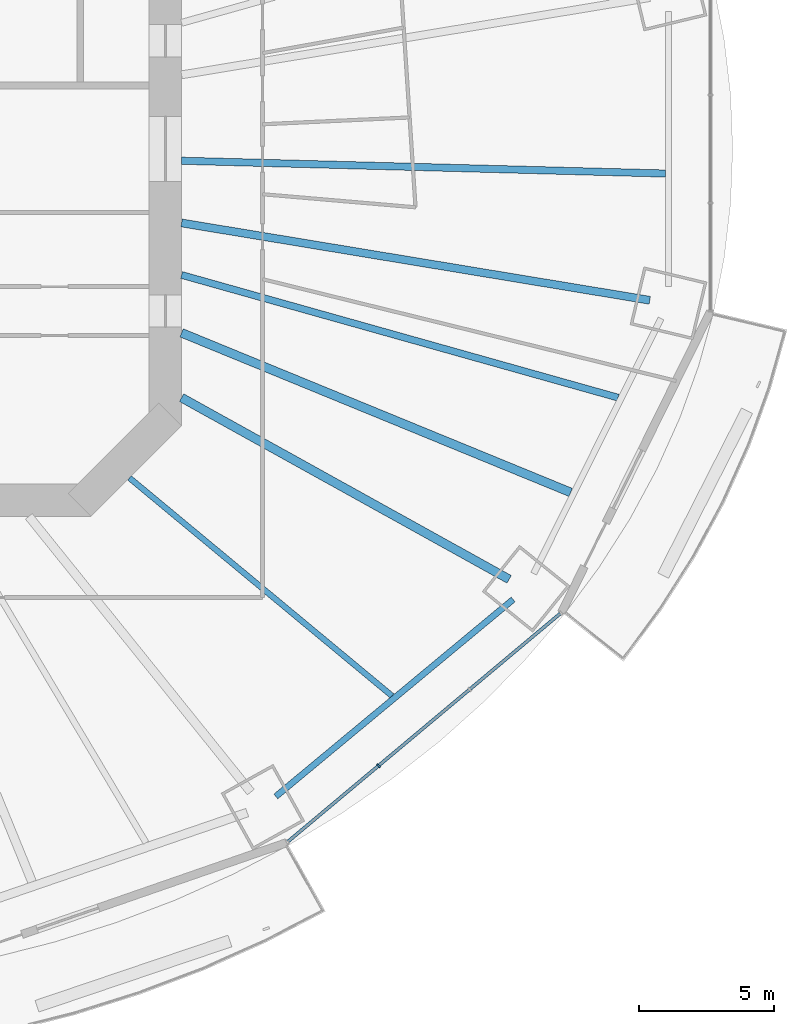
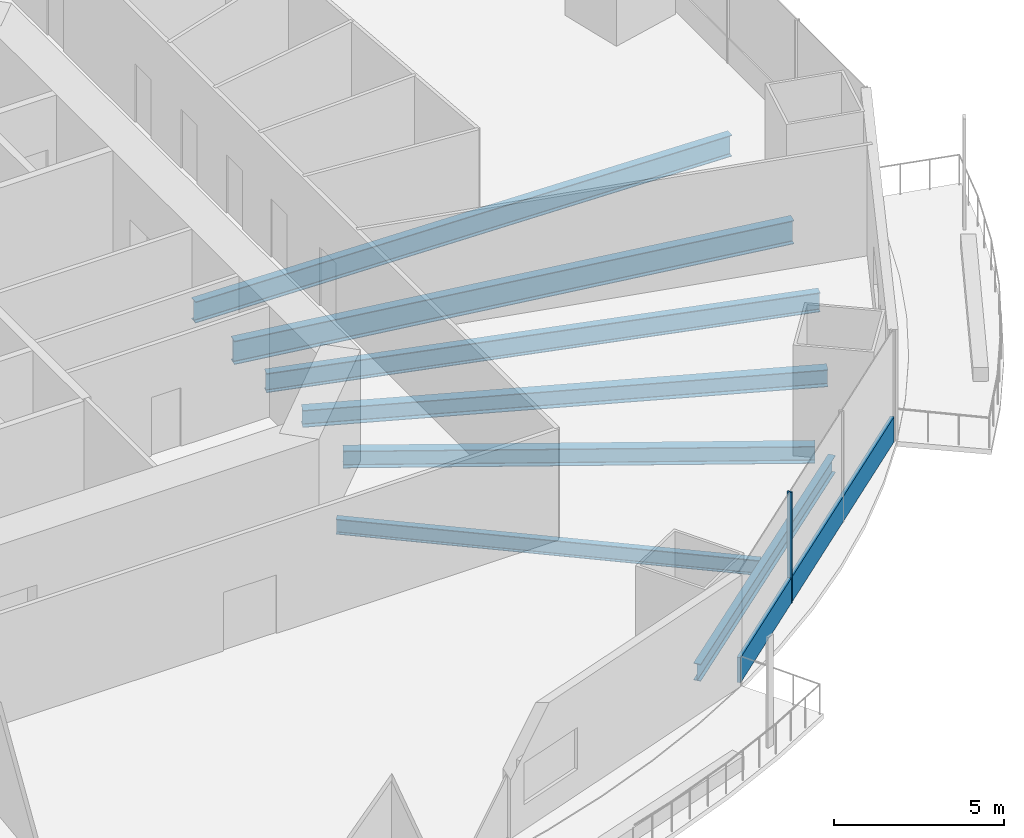
# One storey, part 5 of 23: 7 beams, 2 members, 1 element without a shape of its own.
"""IFC4 building model written with IfcOpenShell, lengths in metres."""

from ifc_helpers import new_model, si_unit, direction, frame, origin, origin_2d, place, context, subcontext, project, spatial, rectangle, i_section, extrude, material, material_profile, profile_set, type_object, element, aggregate, save


model = new_model("IFC4")

# Units and contexts
model_context = context("Model", 3, precision=1e-05, world=origin(), true_north=direction((0.0, 1.0)))
body_context = subcontext(model_context, "Body", "Model", "MODEL_VIEW")
ifc_project = project(units=[si_unit("LENGTHUNIT", "METRE"), si_unit("AREAUNIT", "SQUARE_METRE"), si_unit("VOLUMEUNIT", "CUBIC_METRE"), si_unit("PLANEANGLEUNIT", "RADIAN"), si_unit("MASSUNIT", "GRAM", prefix="KILO")], contexts=[model_context])

# Site, building, storey
site_placement = place(None, origin())
site = spatial("IfcSite", under=ifc_project, at=site_placement, CompositionType="ELEMENT")
building_placement = place(site_placement, origin())
building = spatial("IfcBuilding", under=site, at=building_placement, Name="Marenthal Gate Tower", CompositionType="ELEMENT")
storey_placement = place(building_placement, frame((0.0, 0.0, 41.300048828125)))
storey = spatial("IfcBuildingStorey", under=building, at=storey_placement, Name="L06", CompositionType="ELEMENT", Elevation=41.300048828125)

# Curtain wall, members
ifc_material_1 = material(Name="Aluminium and glass", Category="aluminium")
curtain_wall_type = type_object("IfcCurtainWallType", Name="Curtain wall typical low", PredefinedType="NOTDEFINED", material=ifc_material_1)
curtain_wall_placement = place(storey_placement, origin())
curtain_wall = element("IfcCurtainWall", 1, at=curtain_wall_placement, inside=storey, type_object=curtain_wall_type, Name="Curtain wall L06 bay 14", PredefinedType="NOTDEFINED")
ifc_material_2 = material(Name="Aluminium", Category="aluminium")
ifc_material_profile_1 = material_profile(ifc_material_2, rectangle(XDim=0.159912109375, YDim=0.06005859375, at=origin_2d()), Name="60x160 aluminium mullion")
ifc_profile_set_1 = profile_set([ifc_material_profile_1], Name="Aluminium")
member_type_1 = type_object("IfcMemberType", Name="Mullion 60x160 typical low", PredefinedType="MULLION", material=ifc_profile_set_1)
member_1_placement = place(storey_placement, frame((23.888916015625, -22.829345703125, 0.0), z_axis=(0.0, 0.0, 1.0), x_axis=(-0.641982192245, 0.76671954771, 0.0)))
member_1 = element("IfcMember", 2, at=member_1_placement, type_object=member_type_1, Name="Mullion L06 bay 14.2", PredefinedType="MULLION", context=body_context, shape_type="SweptSolid", body=[
    extrude(rectangle(XDim=0.159912109375, YDim=0.06005859375, at=origin_2d()), origin(), (0.0, 0.0, 1.0), 3.969970703125),
])
ifc_material_3 = material(Name="Aluminium", Category="aluminium")
ifc_material_profile_2 = material_profile(ifc_material_3, rectangle(XDim=0.1201171875, YDim=0.89990234375, at=origin_2d()), Name="120x900 aluminium transom")
ifc_profile_set_2 = profile_set([ifc_material_profile_2], Name="Aluminium")
member_type_2 = type_object("IfcMemberType", Name="Transom 120x900 typical low", PredefinedType="USERDEFINED", material=ifc_profile_set_2)
member_2_placement = place(storey_placement, frame((20.535400390625, -25.63720703125, 0.449951171875), z_axis=(0.766726434385, 0.641973967397, 0.0), x_axis=(-0.641973967397, 0.766726434385, 0.0)))
member_2 = element("IfcMember", 3, at=member_2_placement, type_object=member_type_2, Name="Transom L06 bay 14", ObjectType="TRANSOM", PredefinedType="USERDEFINED", context=body_context, shape_type="SweptSolid", body=[
    extrude(rectangle(XDim=0.1201171875, YDim=0.89990234375, at=origin_2d()), origin(), (0.0, 0.0, 1.0), 13.151123046875),
])
aggregate(curtain_wall, [member_1, member_2])

# Beams
ifc_material_4 = material(Name="Steel S355", Category="steel")
ifc_material_profile_3 = material_profile(ifc_material_4, i_section(OverallWidth=0.2119140625, OverallDepth=0.5439453125, WebThickness=0.01318359375, FlangeThickness=0.021240234375, FilletRadius=0.0126953125, at=origin_2d()), Name="W530X123")
ifc_profile_set_3 = profile_set([ifc_material_profile_3], Name="Steel S355")
beam_type_1 = type_object("IfcBeamType", Name="W530X123 beam", PredefinedType="BEAM", material=ifc_profile_set_3)
beam_1_placement = place(storey_placement, frame((24.3916015625, -20.245849609375, -0.4521484375), z_axis=(-0.769466511284, 0.638687159737, 0.0), x_axis=(-0.638687159737, -0.769466511284, 0.0)))
element("IfcBeam", 4, at=beam_1_placement, inside=storey, type_object=beam_type_1, Name="BM-L06-37", PredefinedType="BEAM", context=body_context, shape_type="SweptSolid", body=[
    extrude(i_section(OverallWidth=0.2119140625, OverallDepth=0.5439453125, WebThickness=0.01318359375, FlangeThickness=0.021240234375, FilletRadius=0.0126953125, at=origin_2d()), origin(), (0.0, 0.0, 1.0), 12.6328125),
])
ifc_material_5 = material(Name="Steel S355", Category="steel")
ifc_material_profile_4 = material_profile(ifc_material_5, i_section(OverallWidth=0.22900390625, OverallDepth=0.612060546875, WebThickness=0.011962890625, FlangeThickness=0.01953125, FilletRadius=0.0126953125, at=origin_2d()), Name="W610X125")
ifc_profile_set_4 = profile_set([ifc_material_profile_4], Name="Steel S355")
beam_type_2 = type_object("IfcBeamType", Name="W610X125 beam", PredefinedType="BEAM", material=ifc_profile_set_4)
beam_2_placement = place(storey_placement, frame((20.088134765625, -23.966552734375, -0.486083984375), z_axis=(0.769467989353, 0.63868537901, 0.0), x_axis=(-0.63868537901, 0.769467989353, 0.0)))
element("IfcBeam", 5, at=beam_2_placement, inside=storey, type_object=beam_type_2, Name="BM-L06-54", PredefinedType="BEAM", context=body_context, shape_type="SweptSolid", body=[
    extrude(i_section(OverallWidth=0.22900390625, OverallDepth=0.612060546875, WebThickness=0.011962890625, FlangeThickness=0.01953125, FilletRadius=0.0126953125, at=origin_2d()), origin(), (0.0, 0.0, 1.0), 11.415283203125),
])
ifc_material_6 = material(Name="Steel S355", Category="steel")
ifc_material_profile_5 = material_profile(ifc_material_6, i_section(OverallWidth=0.324951171875, OverallDepth=0.612060546875, WebThickness=0.0126953125, FlangeThickness=0.01904296875, FilletRadius=0.0126953125, at=origin_2d()), Name="W610X155")
ifc_profile_set_5 = profile_set([ifc_material_profile_5], Name="Steel S355")
beam_type_3 = type_object("IfcBeamType", Name="W610X155 beam", PredefinedType="BEAM", material=ifc_profile_set_5)
beam_3_placement = place(storey_placement, frame((28.72314453125, -15.929931640625, -0.486083984375), z_axis=(-0.874513423091, 0.485001312198, 0.0), x_axis=(-0.485001312198, -0.874513423091, 0.0)))
element("IfcBeam", 6, at=beam_3_placement, inside=storey, type_object=beam_type_3, Name="BM-L06-15", PredefinedType="BEAM", context=body_context, shape_type="SweptSolid", body=[
    extrude(i_section(OverallWidth=0.324951171875, OverallDepth=0.612060546875, WebThickness=0.0126953125, FlangeThickness=0.01904296875, FilletRadius=0.0126953125, at=origin_2d()), origin(), (0.0, 0.0, 1.0), 13.862548828125),
])
beam_4_placement = place(storey_placement, frame((31.001708984375, -12.7138671875, -0.486083984375), z_axis=(-0.925221568218, 0.379427265367, 0.0), x_axis=(-0.379427265367, -0.925221568218, 0.0)))
element("IfcBeam", 7, at=beam_4_placement, inside=storey, type_object=beam_type_3, Name="BM-L06-38", PredefinedType="BEAM", context=body_context, shape_type="SweptSolid", body=[
    extrude(i_section(OverallWidth=0.324951171875, OverallDepth=0.612060546875, WebThickness=0.0126953125, FlangeThickness=0.01904296875, FilletRadius=0.0126953125, at=origin_2d()), origin(), (0.0, 0.0, 1.0), 15.565673828125),
])
ifc_material_7 = material(Name="Steel S355", Category="steel")
ifc_material_profile_6 = material_profile(ifc_material_7, i_section(OverallWidth=0.257080078125, OverallDepth=0.693115234375, WebThickness=0.014404296875, FlangeThickness=0.023681640625, FilletRadius=0.015380859375, at=origin_2d()), Name="W690X170")
ifc_profile_set_6 = profile_set([ifc_material_profile_6], Name="Steel S355")
beam_type_4 = type_object("IfcBeamType", Name="W690X170 beam", PredefinedType="BEAM", material=ifc_profile_set_6)
beam_5_placement = place(storey_placement, frame((32.75244140625, -9.205322265625, -0.526611328125), z_axis=(-0.962698331576, 0.270577017467, 0.0), x_axis=(-0.270577017467, -0.962698331576, 0.0)))
element("IfcBeam", 8, at=beam_5_placement, inside=storey, type_object=beam_type_4, Name="BM-L06-39", PredefinedType="BEAM", context=body_context, shape_type="SweptSolid", body=[
    extrude(i_section(OverallWidth=0.257080078125, OverallDepth=0.693115234375, WebThickness=0.014404296875, FlangeThickness=0.023681640625, FilletRadius=0.015380859375, at=origin_2d()), origin(), (0.0, 0.0, 1.0), 16.7783203125),
])
ifc_material_8 = material(Name="Steel S355", Category="steel")
ifc_material_profile_7 = material_profile(ifc_material_8, i_section(OverallWidth=0.26708984375, OverallDepth=0.761962890625, WebThickness=0.014404296875, FlangeThickness=0.021484375, FilletRadius=0.0166015625, at=origin_2d()), Name="W760X173")
ifc_profile_set_7 = profile_set([ifc_material_profile_7], Name="Steel S355")
beam_type_5 = type_object("IfcBeamType", Name="W760X173 beam", PredefinedType="BEAM", material=ifc_profile_set_7)
beam_6_placement = place(storey_placement, frame((34.515625, -0.911865234375, -0.56103515625), z_axis=(-0.999651085361, 0.026414154078, 0.0), x_axis=(-0.026414154078, -0.999651085361, 0.0)))
element("IfcBeam", 9, at=beam_6_placement, inside=storey, type_object=beam_type_5, Name="BM-L06-40", PredefinedType="BEAM", context=body_context, shape_type="SweptSolid", body=[
    extrude(i_section(OverallWidth=0.26708984375, OverallDepth=0.761962890625, WebThickness=0.014404296875, FlangeThickness=0.021484375, FilletRadius=0.0166015625, at=origin_2d()), origin(), (0.0, 0.0, 1.0), 17.921875),
])
ifc_material_9 = material(Name="Steel S355", Category="steel")
ifc_material_profile_8 = material_profile(ifc_material_9, i_section(OverallWidth=0.2919921875, OverallDepth=0.841064453125, WebThickness=0.0146484375, FlangeThickness=0.021728515625, FilletRadius=0.017822265625, at=origin_2d()), Name="W840X193")
ifc_profile_set_8 = profile_set([ifc_material_profile_8], Name="Steel S355")
beam_type_6 = type_object("IfcBeamType", Name="W840X193 beam", PredefinedType="BEAM", material=ifc_profile_set_8)
beam_7_placement = place(storey_placement, frame((33.927978515625, -5.6015625, -0.6005859375), z_axis=(-0.986643376601, 0.162895203762, 0.0), x_axis=(-0.162895203762, -0.986643376601, 0.0)))
element("IfcBeam", 10, at=beam_7_placement, inside=storey, type_object=beam_type_6, Name="BM-L06-16", PredefinedType="BEAM", context=body_context, shape_type="SweptSolid", body=[
    extrude(i_section(OverallWidth=0.2919921875, OverallDepth=0.841064453125, WebThickness=0.0146484375, FlangeThickness=0.021728515625, FilletRadius=0.017822265625, at=origin_2d()), origin(), (0.0, 0.0, 1.0), 17.5625),
])

save(model, "model.ifc")
